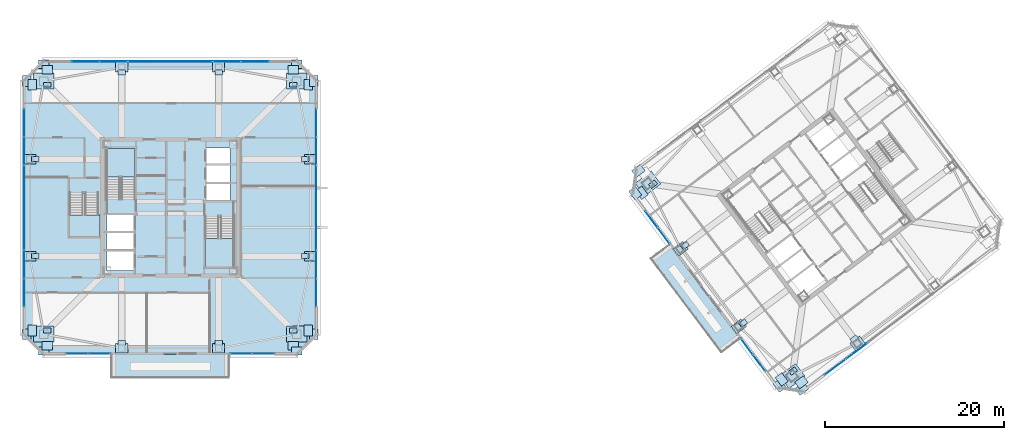
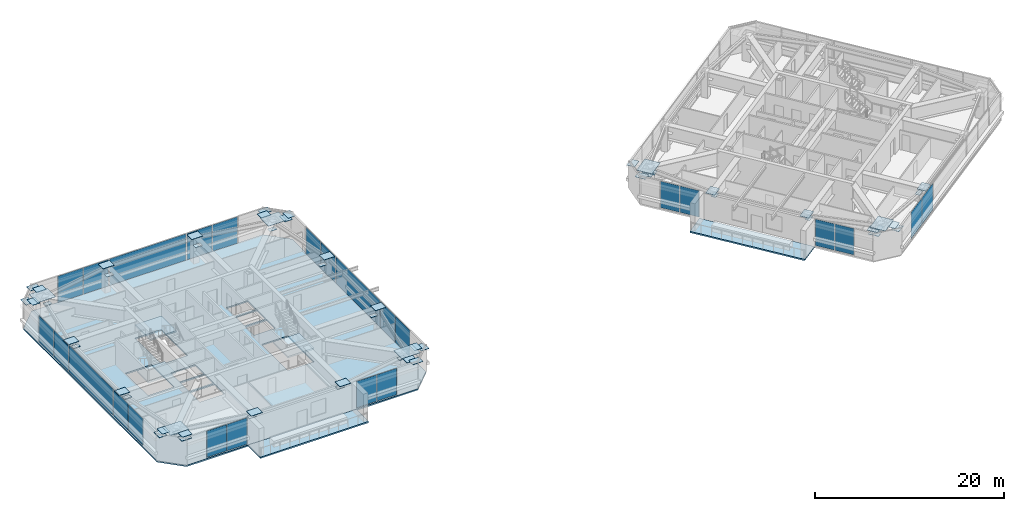
# One storey, part 28 of 40: 82 plates, 6 slabs, 17 elements without a shape of their own.
"""IFC4 building model written with IfcOpenShell, lengths in metres."""

from ifc_helpers import new_model, si_unit, direction, frame, origin, origin_2d, place, context, subcontext, project, spatial, polyline, rectangle, outline, extrude, material, layer, layer_set, type_object, element, aggregate, save


model = new_model("IFC4")

# Units and contexts
model_context = context("Model", 3, precision=1e-05, world=origin(), true_north=direction((0.0, 1.0)))
body_context = subcontext(model_context, "Body", "Model", "MODEL_VIEW")
ifc_project = project(units=[si_unit("LENGTHUNIT", "METRE"), si_unit("AREAUNIT", "SQUARE_METRE"), si_unit("VOLUMEUNIT", "CUBIC_METRE"), si_unit("PLANEANGLEUNIT", "RADIAN"), si_unit("MASSUNIT", "GRAM", prefix="KILO")], contexts=[model_context])

# Site, building, storey
site_placement = place(None, origin())
site = spatial("IfcSite", under=ifc_project, at=site_placement, CompositionType="ELEMENT")
building_placement = place(site_placement, origin())
building = spatial("IfcBuilding", under=site, at=building_placement, Name="Tashvorn Skyway Center", CompositionType="ELEMENT")
storey_placement = place(building_placement, frame((0.0, 0.0, 229.050048828125)))
storey = spatial("IfcBuildingStorey", under=building, at=storey_placement, Name="L62", CompositionType="ELEMENT", Elevation=229.050048828125)

# Curtain wall, plates
ifc_material_1 = material(Name="Thermally broken bronze-anodized aluminium 6063-T6", Category="aluminium")
curtain_wall_type = type_object("IfcCurtainWallType", Name="CW-CW-Z5", PredefinedType="NOTDEFINED", material=ifc_material_1)
curtain_wall_1_placement = place(storey_placement, origin())
curtain_wall_1 = element("IfcCurtainWall", 1, at=curtain_wall_1_placement, inside=storey, type_object=curtain_wall_type, Name="Tower 1 L62 South Curtain Wall L Glazing Group 1", PredefinedType="NOTDEFINED")
ifc_material_2 = material(Name="Low-E solar-control double insulating safety glass", Category="glass")
ifc_layer_1 = layer(ifc_material_2, 0.031982421875)
ifc_layer_set_1 = layer_set([ifc_layer_1], Name="Low-E solar-control double insulating safety glass")
plate_type_1 = type_object("IfcPlateType", Name="CWP-CW-Z5", PredefinedType="CURTAIN_PANEL", material=ifc_layer_set_1)
plate_1_placement = place(storey_placement, frame((52.37255859375, 15.719970703125, 0.06982421875), z_axis=(0.0, 0.0, 1.0), x_axis=(-1.0, 0.0, 0.0)))
plate_1 = element("IfcPlate", 2, at=plate_1_placement, type_object=plate_type_1, Name="CW-Z5 panel 1.1", PredefinedType="CURTAIN_PANEL", context=body_context, shape_type="SweptSolid", body=[
    extrude(rectangle(XDim=2.421630859375, YDim=0.031982421875, at=origin_2d()), origin(), (0.0, 0.0, 1.0), 3.409912109375),
])
plate_2_placement = place(storey_placement, frame((49.880859375, 15.719970703125, 0.06982421875), z_axis=(0.0, 0.0, 1.0), x_axis=(-1.0, 0.0, 0.0)))
plate_2 = element("IfcPlate", 3, at=plate_2_placement, type_object=plate_type_1, Name="CW-Z5 panel 2.1", PredefinedType="CURTAIN_PANEL", context=body_context, shape_type="SweptSolid", body=[
    extrude(rectangle(XDim=2.421630859375, YDim=0.031982421875, at=origin_2d()), origin(), (0.0, 0.0, 1.0), 3.409912109375),
])
aggregate(curtain_wall_1, [plate_1, plate_2])

curtain_wall_2_placement = place(storey_placement, origin())
curtain_wall_2 = element("IfcCurtainWall", 4, at=curtain_wall_2_placement, inside=storey, type_object=curtain_wall_type, Name="Tower 1 L62 South Curtain Wall R Glazing Group 1", PredefinedType="NOTDEFINED")
plate_3_placement = place(storey_placement, frame((34.119140625, 15.719970703125, 0.06982421875), z_axis=(0.0, 0.0, 1.0), x_axis=(-1.0, 0.0, 0.0)))
plate_3 = element("IfcPlate", 5, at=plate_3_placement, type_object=plate_type_1, Name="CW-Z5 panel 1.1", PredefinedType="CURTAIN_PANEL", context=body_context, shape_type="SweptSolid", body=[
    extrude(rectangle(XDim=2.421630859375, YDim=0.031982421875, at=origin_2d()), origin(), (0.0, 0.0, 1.0), 3.409912109375),
])
plate_4_placement = place(storey_placement, frame((31.62744140625, 15.719970703125, 0.06982421875), z_axis=(0.0, 0.0, 1.0), x_axis=(-1.0, 0.0, 0.0)))
plate_4 = element("IfcPlate", 6, at=plate_4_placement, type_object=plate_type_1, Name="CW-Z5 panel 2.1", PredefinedType="CURTAIN_PANEL", context=body_context, shape_type="SweptSolid", body=[
    extrude(rectangle(XDim=2.421630859375, YDim=0.031982421875, at=origin_2d()), origin(), (0.0, 0.0, 1.0), 3.409912109375),
])
aggregate(curtain_wall_2, [plate_3, plate_4])

curtain_wall_3_placement = place(storey_placement, origin())
curtain_wall_3 = element("IfcCurtainWall", 7, at=curtain_wall_3_placement, inside=storey, type_object=curtain_wall_type, Name="Tower 1 L62 West Unitised Curtain Wall Glazing Group 1", PredefinedType="NOTDEFINED")
plate_5_placement = place(storey_placement, frame((25.719970703125, 22.564208984375, 0.06982421875), z_axis=(0.0, 0.0, 1.0), x_axis=(0.0, 1.0, 0.0)))
plate_5 = element("IfcPlate", 8, at=plate_5_placement, type_object=plate_type_1, Name="CW-Z5 panel 1.1", PredefinedType="CURTAIN_PANEL", context=body_context, shape_type="SweptSolid", body=[
    extrude(rectangle(XDim=3.046142578125, YDim=0.031982421875, at=origin_2d()), origin(), (0.0, 0.0, 1.0), 3.409912109375),
])
plate_6_placement = place(storey_placement, frame((25.719970703125, 25.68017578125, 0.06982421875), z_axis=(0.0, 0.0, 1.0), x_axis=(0.0, 1.0, 0.0)))
plate_6 = element("IfcPlate", 9, at=plate_6_placement, type_object=plate_type_1, Name="CW-Z5 panel 2.1", PredefinedType="CURTAIN_PANEL", context=body_context, shape_type="SweptSolid", body=[
    extrude(rectangle(XDim=3.046142578125, YDim=0.031982421875, at=origin_2d()), origin(), (0.0, 0.0, 1.0), 3.409912109375),
])
aggregate(curtain_wall_3, [plate_5, plate_6])

# Curtain wall, plate
curtain_wall_4_placement = place(storey_placement, origin())
curtain_wall_4 = element("IfcCurtainWall", 10, at=curtain_wall_4_placement, inside=storey, type_object=curtain_wall_type, Name="Tower 1 L62 West Unitised Curtain Wall Glazing Group 2", PredefinedType="NOTDEFINED")
plate_7_placement = place(storey_placement, frame((25.719970703125, 32.0, 0.06982421875), z_axis=(0.0, 0.0, 1.0), x_axis=(0.0, 1.0, 0.0)))
plate_7 = element("IfcPlate", 11, at=plate_7_placement, type_object=plate_type_1, Name="CW-Z5 panel 1.1", PredefinedType="CURTAIN_PANEL", context=body_context, shape_type="SweptSolid", body=[
    extrude(rectangle(XDim=9.3134765625, YDim=0.031982421875, at=origin_2d()), origin(), (0.0, 0.0, 1.0), 3.409912109375),
])
aggregate(curtain_wall_4, [plate_7])

# Curtain wall, plates
curtain_wall_5_placement = place(storey_placement, origin())
curtain_wall_5 = element("IfcCurtainWall", 12, at=curtain_wall_5_placement, inside=storey, type_object=curtain_wall_type, Name="Tower 1 L62 West Unitised Curtain Wall Glazing Group 3", PredefinedType="NOTDEFINED")
plate_8_placement = place(storey_placement, frame((25.719970703125, 38.31982421875, 0.06982421875), z_axis=(0.0, 0.0, 1.0), x_axis=(0.0, 1.0, 0.0)))
plate_8 = element("IfcPlate", 13, at=plate_8_placement, type_object=plate_type_1, Name="CW-Z5 panel 1.1", PredefinedType="CURTAIN_PANEL", context=body_context, shape_type="SweptSolid", body=[
    extrude(rectangle(XDim=3.046142578125, YDim=0.031982421875, at=origin_2d()), origin(), (0.0, 0.0, 1.0), 3.409912109375),
])
plate_9_placement = place(storey_placement, frame((25.719970703125, 41.435791015625, 0.06982421875), z_axis=(0.0, 0.0, 1.0), x_axis=(0.0, 1.0, 0.0)))
plate_9 = element("IfcPlate", 14, at=plate_9_placement, type_object=plate_type_1, Name="CW-Z5 panel 2.1", PredefinedType="CURTAIN_PANEL", context=body_context, shape_type="SweptSolid", body=[
    extrude(rectangle(XDim=3.046142578125, YDim=0.031982421875, at=origin_2d()), origin(), (0.0, 0.0, 1.0), 3.409912109375),
])
aggregate(curtain_wall_5, [plate_8, plate_9])

curtain_wall_6_placement = place(storey_placement, origin())
curtain_wall_6 = element("IfcCurtainWall", 15, at=curtain_wall_6_placement, inside=storey, type_object=curtain_wall_type, Name="Tower 1 L62 North Unitised Curtain Wall Glazing Group 1", PredefinedType="NOTDEFINED")
plate_10_placement = place(storey_placement, frame((32.564208984375, 48.280029296875, 0.06982421875), z_axis=(0.0, 0.0, 1.0), x_axis=(1.0, 0.0, 0.0)))
plate_10 = element("IfcPlate", 16, at=plate_10_placement, type_object=plate_type_1, Name="CW-Z5 panel 1.1", PredefinedType="CURTAIN_PANEL", context=body_context, shape_type="SweptSolid", body=[
    extrude(rectangle(XDim=3.046142578125, YDim=0.031982421875, at=origin_2d()), origin(), (0.0, 0.0, 1.0), 3.409912109375),
])
plate_11_placement = place(storey_placement, frame((35.68017578125, 48.280029296875, 0.06982421875), z_axis=(0.0, 0.0, 1.0), x_axis=(1.0, 0.0, 0.0)))
plate_11 = element("IfcPlate", 17, at=plate_11_placement, type_object=plate_type_1, Name="CW-Z5 panel 2.1", PredefinedType="CURTAIN_PANEL", context=body_context, shape_type="SweptSolid", body=[
    extrude(rectangle(XDim=3.046142578125, YDim=0.031982421875, at=origin_2d()), origin(), (0.0, 0.0, 1.0), 3.409912109375),
])
aggregate(curtain_wall_6, [plate_10, plate_11])

# Curtain wall, plate
curtain_wall_7_placement = place(storey_placement, origin())
curtain_wall_7 = element("IfcCurtainWall", 18, at=curtain_wall_7_placement, inside=storey, type_object=curtain_wall_type, Name="Tower 1 L62 North Unitised Curtain Wall Glazing Group 2", PredefinedType="NOTDEFINED")
plate_12_placement = place(storey_placement, frame((42.0, 48.280029296875, 0.06982421875), z_axis=(0.0, 0.0, 1.0), x_axis=(1.0, 0.0, 0.0)))
plate_12 = element("IfcPlate", 19, at=plate_12_placement, type_object=plate_type_1, Name="CW-Z5 panel 1.1", PredefinedType="CURTAIN_PANEL", context=body_context, shape_type="SweptSolid", body=[
    extrude(rectangle(XDim=9.3134765625, YDim=0.031982421875, at=origin_2d()), origin(), (0.0, 0.0, 1.0), 3.409912109375),
])
aggregate(curtain_wall_7, [plate_12])

# Curtain wall, plates
curtain_wall_8_placement = place(storey_placement, origin())
curtain_wall_8 = element("IfcCurtainWall", 20, at=curtain_wall_8_placement, inside=storey, type_object=curtain_wall_type, Name="Tower 1 L62 North Unitised Curtain Wall Glazing Group 3", PredefinedType="NOTDEFINED")
plate_13_placement = place(storey_placement, frame((48.31982421875, 48.280029296875, 0.06982421875), z_axis=(0.0, 0.0, 1.0), x_axis=(1.0, 0.0, 0.0)))
plate_13 = element("IfcPlate", 21, at=plate_13_placement, type_object=plate_type_1, Name="CW-Z5 panel 1.1", PredefinedType="CURTAIN_PANEL", context=body_context, shape_type="SweptSolid", body=[
    extrude(rectangle(XDim=3.046142578125, YDim=0.031982421875, at=origin_2d()), origin(), (0.0, 0.0, 1.0), 3.409912109375),
])
plate_14_placement = place(storey_placement, frame((51.435791015625, 48.280029296875, 0.06982421875), z_axis=(0.0, 0.0, 1.0), x_axis=(1.0, 0.0, 0.0)))
plate_14 = element("IfcPlate", 22, at=plate_14_placement, type_object=plate_type_1, Name="CW-Z5 panel 2.1", PredefinedType="CURTAIN_PANEL", context=body_context, shape_type="SweptSolid", body=[
    extrude(rectangle(XDim=3.046142578125, YDim=0.031982421875, at=origin_2d()), origin(), (0.0, 0.0, 1.0), 3.409912109375),
])
aggregate(curtain_wall_8, [plate_13, plate_14])

curtain_wall_9_placement = place(storey_placement, origin())
curtain_wall_9 = element("IfcCurtainWall", 23, at=curtain_wall_9_placement, inside=storey, type_object=curtain_wall_type, Name="Tower 1 L62 East Unitised Curtain Wall Glazing Group 1", PredefinedType="NOTDEFINED")
plate_15_placement = place(storey_placement, frame((58.280029296875, 41.435791015625, 0.06982421875), z_axis=(0.0, 0.0, 1.0), x_axis=(0.0, -1.0, 0.0)))
plate_15 = element("IfcPlate", 24, at=plate_15_placement, type_object=plate_type_1, Name="CW-Z5 panel 1.1", PredefinedType="CURTAIN_PANEL", context=body_context, shape_type="SweptSolid", body=[
    extrude(rectangle(XDim=3.046142578125, YDim=0.031982421875, at=origin_2d()), origin(), (0.0, 0.0, 1.0), 3.409912109375),
])
plate_16_placement = place(storey_placement, frame((58.280029296875, 38.31982421875, 0.06982421875), z_axis=(0.0, 0.0, 1.0), x_axis=(0.0, -1.0, 0.0)))
plate_16 = element("IfcPlate", 25, at=plate_16_placement, type_object=plate_type_1, Name="CW-Z5 panel 2.1", PredefinedType="CURTAIN_PANEL", context=body_context, shape_type="SweptSolid", body=[
    extrude(rectangle(XDim=3.046142578125, YDim=0.031982421875, at=origin_2d()), origin(), (0.0, 0.0, 1.0), 3.409912109375),
])
aggregate(curtain_wall_9, [plate_15, plate_16])

# Curtain wall, plate
curtain_wall_10_placement = place(storey_placement, origin())
curtain_wall_10 = element("IfcCurtainWall", 26, at=curtain_wall_10_placement, inside=storey, type_object=curtain_wall_type, Name="Tower 1 L62 East Unitised Curtain Wall Glazing Group 2", PredefinedType="NOTDEFINED")
plate_17_placement = place(storey_placement, frame((58.280029296875, 32.0, 0.06982421875), z_axis=(0.0, 0.0, 1.0), x_axis=(0.0, -1.0, 0.0)))
plate_17 = element("IfcPlate", 27, at=plate_17_placement, type_object=plate_type_1, Name="CW-Z5 panel 1.1", PredefinedType="CURTAIN_PANEL", context=body_context, shape_type="SweptSolid", body=[
    extrude(rectangle(XDim=9.3134765625, YDim=0.031982421875, at=origin_2d()), origin(), (0.0, 0.0, 1.0), 3.409912109375),
])
aggregate(curtain_wall_10, [plate_17])

# Curtain wall, plates
curtain_wall_11_placement = place(storey_placement, origin())
curtain_wall_11 = element("IfcCurtainWall", 28, at=curtain_wall_11_placement, inside=storey, type_object=curtain_wall_type, Name="Tower 1 L62 East Unitised Curtain Wall Glazing Group 3", PredefinedType="NOTDEFINED")
plate_18_placement = place(storey_placement, frame((58.280029296875, 25.68017578125, 0.06982421875), z_axis=(0.0, 0.0, 1.0), x_axis=(0.0, -1.0, 0.0)))
plate_18 = element("IfcPlate", 29, at=plate_18_placement, type_object=plate_type_1, Name="CW-Z5 panel 1.1", PredefinedType="CURTAIN_PANEL", context=body_context, shape_type="SweptSolid", body=[
    extrude(rectangle(XDim=3.046142578125, YDim=0.031982421875, at=origin_2d()), origin(), (0.0, 0.0, 1.0), 3.409912109375),
])
plate_19_placement = place(storey_placement, frame((58.280029296875, 22.564208984375, 0.06982421875), z_axis=(0.0, 0.0, 1.0), x_axis=(0.0, -1.0, 0.0)))
plate_19 = element("IfcPlate", 30, at=plate_19_placement, type_object=plate_type_1, Name="CW-Z5 panel 2.1", PredefinedType="CURTAIN_PANEL", context=body_context, shape_type="SweptSolid", body=[
    extrude(rectangle(XDim=3.046142578125, YDim=0.031982421875, at=origin_2d()), origin(), (0.0, 0.0, 1.0), 3.409912109375),
])
aggregate(curtain_wall_11, [plate_18, plate_19])

curtain_wall_12_placement = place(storey_placement, origin())
curtain_wall_12 = element("IfcCurtainWall", 31, at=curtain_wall_12_placement, inside=storey, type_object=curtain_wall_type, Name="Tower 2 L62 South Unitised Curtain Wall Glazing Group 3", PredefinedType="NOTDEFINED")
plate_20_placement = place(storey_placement, frame((118.48095703125, 16.0107421875, 0.06982421875), z_axis=(0.0, 0.0, 1.0), x_axis=(-0.79999799704, -0.600002670604, 0.0)))
plate_20 = element("IfcPlate", 32, at=plate_20_placement, type_object=plate_type_1, Name="CW-Z5 panel 1.1", PredefinedType="CURTAIN_PANEL", context=body_context, shape_type="SweptSolid", body=[
    extrude(rectangle(XDim=2.890625, YDim=0.031982421875, at=origin_2d()), origin(), (0.0, 0.0, 1.0), 3.409912109375),
])
plate_21_placement = place(storey_placement, frame((116.112548828125, 14.234375, 0.06982421875), z_axis=(0.0, 0.0, 1.0), x_axis=(-0.79999799704, -0.600002670604, 0.0)))
plate_21 = element("IfcPlate", 33, at=plate_21_placement, type_object=plate_type_1, Name="CW-Z5 panel 2.1", PredefinedType="CURTAIN_PANEL", context=body_context, shape_type="SweptSolid", body=[
    extrude(rectangle(XDim=2.890625, YDim=0.031982421875, at=origin_2d()), origin(), (0.0, 0.0, 1.0), 3.409912109375),
])
aggregate(curtain_wall_12, [plate_20, plate_21])

curtain_wall_13_placement = place(storey_placement, origin())
curtain_wall_13 = element("IfcCurtainWall", 34, at=curtain_wall_13_placement, inside=storey, type_object=curtain_wall_type, Name="Tower 2 L62 West Curtain Wall L Glazing Group 1", PredefinedType="NOTDEFINED")
plate_22_placement = place(storey_placement, frame((107.62939453125, 14.694091796875, 0.06982421875), z_axis=(0.0, 0.0, 1.0), x_axis=(-0.600003488393, 0.799997383693, 0.0)))
plate_22 = element("IfcPlate", 35, at=plate_22_placement, type_object=plate_type_1, Name="CW-Z5 panel 1.1", PredefinedType="CURTAIN_PANEL", context=body_context, shape_type="SweptSolid", body=[
    extrude(rectangle(XDim=2.188232421875, YDim=0.031982421875, at=origin_2d()), origin(), (0.0, 0.0, 1.0), 3.409912109375),
])
plate_23_placement = place(storey_placement, frame((106.2744140625, 16.500732421875, 0.06982421875), z_axis=(0.0, 0.0, 1.0), x_axis=(-0.600003488393, 0.799997383693, 0.0)))
plate_23 = element("IfcPlate", 36, at=plate_23_placement, type_object=plate_type_1, Name="CW-Z5 panel 2.1", PredefinedType="CURTAIN_PANEL", context=body_context, shape_type="SweptSolid", body=[
    extrude(rectangle(XDim=2.188232421875, YDim=0.031982421875, at=origin_2d()), origin(), (0.0, 0.0, 1.0), 3.409912109375),
])
aggregate(curtain_wall_13, [plate_22, plate_23])

curtain_wall_14_placement = place(storey_placement, origin())
curtain_wall_14 = element("IfcCurtainWall", 37, at=curtain_wall_14_placement, inside=storey, type_object=curtain_wall_type, Name="Tower 2 L62 West Curtain Wall R Glazing Group 1", PredefinedType="NOTDEFINED")
plate_24_placement = place(storey_placement, frame((96.95751953125, 28.92333984375, 0.06982421875), z_axis=(0.0, 0.0, 1.0), x_axis=(-0.600003488393, 0.799997383693, 0.0)))
plate_24 = element("IfcPlate", 38, at=plate_24_placement, type_object=plate_type_1, Name="CW-Z5 panel 1.1", PredefinedType="CURTAIN_PANEL", context=body_context, shape_type="SweptSolid", body=[
    extrude(rectangle(XDim=2.188232421875, YDim=0.031982421875, at=origin_2d()), origin(), (0.0, 0.0, 1.0), 3.409912109375),
])
plate_25_placement = place(storey_placement, frame((95.6025390625, 30.72998046875, 0.06982421875), z_axis=(0.0, 0.0, 1.0), x_axis=(-0.600003488393, 0.799997383693, 0.0)))
plate_25 = element("IfcPlate", 39, at=plate_25_placement, type_object=plate_type_1, Name="CW-Z5 panel 2.1", PredefinedType="CURTAIN_PANEL", context=body_context, shape_type="SweptSolid", body=[
    extrude(rectangle(XDim=2.188232421875, YDim=0.031982421875, at=origin_2d()), origin(), (0.0, 0.0, 1.0), 3.409912109375),
])
aggregate(curtain_wall_14, [plate_24, plate_25])

# Plates
ifc_material_3 = material(Name="Steel ASTM A572 Grade 50", Category="steel")
ifc_layer_2 = layer(ifc_material_3, 0.034912109375)
ifc_layer_set_2 = layer_set([ifc_layer_2], Name="Steel ASTM A572 Grade 50")
plate_type_2 = type_object("IfcPlateType", Name="PLT-CAP-35", PredefinedType="USERDEFINED", material=ifc_layer_set_2)
for number, where, z_axis, x_axis, name in (
    (40, (27.89990234375, 16.02001953125, 3.3173828125), (0.0, 0.0, 1.0), (1.0, 0.0, 0.0), "Tower 1 Zone 5 S Brace Top End Plate L"),
    (41, (56.10009765625, 16.02001953125, 3.3173828125), (0.0, 0.0, 1.0), (1.0, 0.0, 0.0), "Tower 1 Zone 5 S Brace Top End Plate R"),
    (42, (57.97998046875, 17.89990234375, 3.3173828125), (0.0, 0.0, 1.0), (0.0, 1.0, 0.0), "Tower 1 Zone 5 E Brace Top End Plate L"),
    (43, (57.97998046875, 46.10009765625, 3.3173828125), (0.0, 0.0, 1.0), (0.0, 1.0, 0.0), "Tower 1 Zone 5 E Brace Top End Plate R"),
    (44, (56.10009765625, 47.97998046875, 3.3173828125), (0.0, 0.0, 1.0), (-1.0, 0.0, 0.0), "Tower 1 Zone 5 N Brace Top End Plate L"),
    (45, (27.89990234375, 47.97998046875, 3.3173828125), (0.0, 0.0, 1.0), (-1.0, 0.0, 0.0), "Tower 1 Zone 5 N Brace Top End Plate R"),
    (46, (26.02001953125, 46.10009765625, 3.3173828125), (0.0, 0.0, 1.0), (0.0, -1.0, 0.0), "Tower 1 Zone 5 W Brace Top End Plate L"),
    (47, (26.02001953125, 17.89990234375, 3.3173828125), (0.0, 0.0, 1.0), (0.0, -1.0, 0.0), "Tower 1 Zone 5 W Brace Top End Plate R"),
    (48, (112.387939453125, 11.81591796875, 3.3173828125), (0.0, 0.0, 1.0), (0.799999996291, 0.600000004945, 0.0), "Tower 2 Zone 5 S Brace Top End Plate L"),
    (49, (94.172119140625, 36.10400390625, 3.3173828125), (0.0, 0.0, 1.0), (-0.799999996291, -0.600000004945, 0.0), "Tower 2 Zone 5 N Brace Top End Plate R"),
    (50, (93.81591796875, 33.612060546875, 3.3173828125), (0.0, 0.0, 1.0), (0.600000004945, -0.799999996291, 0.0), "Tower 2 Zone 5 W Brace Top End Plate L"),
    (51, (109.89599609375, 12.172119140625, 3.3173828125), (0.0, 0.0, 1.0), (0.600000004945, -0.799999996291, 0.0), "Tower 2 Zone 5 W Brace Top End Plate R"),
    (52, (28.300048828125, 16.6201171875, 3.3173828125), (0.0, 0.0, 1.0), (1.0, 0.0, 0.0), "Tower 1 Zone 6 S Brace Base End Plate L"),
    (53, (55.699951171875, 16.6201171875, 3.3173828125), (0.0, 0.0, 1.0), (1.0, 0.0, 0.0), "Tower 1 Zone 6 S Brace Base End Plate R"),
    (54, (57.3798828125, 18.300048828125, 3.3173828125), (0.0, 0.0, 1.0), (0.0, 1.0, 0.0), "Tower 1 Zone 6 E Brace Base End Plate L"),
    (55, (57.3798828125, 45.699951171875, 3.3173828125), (0.0, 0.0, 1.0), (0.0, 1.0, 0.0), "Tower 1 Zone 6 E Brace Base End Plate R"),
    (56, (55.699951171875, 47.3798828125, 3.3173828125), (0.0, 0.0, 1.0), (-1.0, 0.0, 0.0), "Tower 1 Zone 6 N Brace Base End Plate L"),
    (57, (28.300048828125, 47.3798828125, 3.3173828125), (0.0, 0.0, 1.0), (-1.0, 0.0, 0.0), "Tower 1 Zone 6 N Brace Base End Plate R"),
    (58, (26.6201171875, 45.699951171875, 3.3173828125), (0.0, 0.0, 1.0), (0.0, -1.0, 0.0), "Tower 1 Zone 6 W Brace Base End Plate L"),
    (59, (26.6201171875, 18.300048828125, 3.3173828125), (0.0, 0.0, 1.0), (0.0, -1.0, 0.0), "Tower 1 Zone 6 W Brace Base End Plate R"),
    (60, (112.347900390625, 12.535888671875, 3.3173828125), (0.0, 0.0, 1.0), (0.799999996291, 0.600000004945, 0.0), "Tower 2 Zone 6 S Brace Base End Plate L"),
    (61, (94.535888671875, 33.652099609375, 3.3173828125), (0.0, 0.0, 1.0), (0.600000004945, -0.799999996291, 0.0), "Tower 2 Zone 6 W Brace Base End Plate L"),
    (62, (110.135986328125, 12.85205078125, 3.3173828125), (0.0, 0.0, 1.0), (0.600000004945, -0.799999996291, 0.0), "Tower 2 Zone 6 W Brace Base End Plate R"),
):
    element("IfcPlate", number, at=place(storey_placement, frame(where, z_axis=z_axis, x_axis=x_axis)), inside=storey, type_object=plate_type_2, Name=name, ObjectType="END PLATE", PredefinedType="USERDEFINED", context=body_context, shape_type="SweptSolid", body=[
        extrude(rectangle(XDim=1.199951171875, YDim=0.919921875, at=origin_2d()), origin(), (0.0, 0.0, 1.0), 0.034912109375),
    ])
ifc_layer_3 = layer(ifc_material_3, 0.050048828125)
ifc_layer_set_3 = layer_set([ifc_layer_3], Name="Steel ASTM A572 Grade 50")
plate_type_3 = type_object("IfcPlateType", Name="PLT-ENDCAP-1650", PredefinedType="USERDEFINED", material=ifc_layer_set_3)
for number, where, z_axis, x_axis, name in (
    (63, (27.89990234375, 17.89990234375, 3.35986328125), (0.0, 0.0, 1.0), (1.0, 0.0, 0.0), "Tower 1 L62 MC-SW Setback Cap End Plate"),
    (64, (56.10009765625, 17.89990234375, 3.35986328125), (0.0, 0.0, 1.0), (1.0, 0.0, 0.0), "Tower 1 L62 MC-SE Setback Cap End Plate"),
    (65, (56.10009765625, 46.10009765625, 3.35986328125), (0.0, 0.0, 1.0), (1.0, 0.0, 0.0), "Tower 1 L62 MC-NE Setback Cap End Plate"),
    (66, (27.89990234375, 46.10009765625, 3.35986328125), (0.0, 0.0, 1.0), (1.0, 0.0, 0.0), "Tower 1 L62 MC-NW Setback Cap End Plate"),
    (67, (111.320068359375, 13.239990234375, 3.35986328125), (0.0, 0.0, 1.0), (0.799999996291, 0.600000004945, 0.0), "Tower 2 L62 MC-SW Setback Cap End Plate"),
    (68, (95.239990234375, 34.679931640625, 3.35986328125), (0.0, 0.0, 1.0), (0.799999996291, 0.600000004945, 0.0), "Tower 2 L62 MC-NW Setback Cap End Plate"),
):
    element("IfcPlate", number, at=place(storey_placement, frame(where, z_axis=z_axis, x_axis=x_axis)), inside=storey, type_object=plate_type_3, Name=name, ObjectType="END PLATE", PredefinedType="USERDEFINED", context=body_context, shape_type="SweptSolid", body=[
        extrude(rectangle(XDim=2.25, YDim=1.780029296875, at=origin_2d()), origin(), (0.0, 0.0, 1.0), 0.050048828125),
    ])
ifc_layer_4 = layer(ifc_material_3, 0.050048828125)
ifc_layer_set_4 = layer_set([ifc_layer_4], Name="Steel ASTM A572 Grade 50")
plate_type_4 = type_object("IfcPlateType", Name="PLT-ENDCAP-900", PredefinedType="USERDEFINED", material=ifc_layer_set_4)
for number, where, z_axis, x_axis, name in (
    (69, (36.60009765625, 16.35009765625, 3.35986328125), (0.0, 0.0, 1.0), (1.0, 0.0, 0.0), "Tower 1 L62 FC-S1 Setback Cap End Plate"),
    (70, (47.39990234375, 16.35009765625, 3.35986328125), (0.0, 0.0, 1.0), (1.0, 0.0, 0.0), "Tower 1 L62 FC-S2 Setback Cap End Plate"),
    (71, (57.64990234375, 26.60009765625, 3.35986328125), (0.0, 0.0, 1.0), (1.0, 0.0, 0.0), "Tower 1 L62 FC-E1 Setback Cap End Plate"),
    (72, (57.64990234375, 37.39990234375, 3.35986328125), (0.0, 0.0, 1.0), (1.0, 0.0, 0.0), "Tower 1 L62 FC-E2 Setback Cap End Plate"),
    (73, (47.39990234375, 47.64990234375, 3.35986328125), (0.0, 0.0, 1.0), (1.0, 0.0, 0.0), "Tower 1 L62 FC-N1 Setback Cap End Plate"),
    (74, (36.60009765625, 47.64990234375, 3.35986328125), (0.0, 0.0, 1.0), (1.0, 0.0, 0.0), "Tower 1 L62 FC-N2 Setback Cap End Plate"),
    (75, (26.35009765625, 37.39990234375, 3.35986328125), (0.0, 0.0, 1.0), (1.0, 0.0, 0.0), "Tower 1 L62 FC-W1 Setback Cap End Plate"),
    (76, (26.35009765625, 26.60009765625, 3.35986328125), (0.0, 0.0, 1.0), (1.0, 0.0, 0.0), "Tower 1 L62 FC-W2 Setback Cap End Plate"),
    (77, (118.590087890625, 16.8798828125, 3.35986328125), (0.0, 0.0, 1.0), (0.799999996291, 0.600000004945, 0.0), "Tower 2 L62 FC-S1 Setback Cap End Plate"),
    (78, (98.8798828125, 27.409912109375, 3.35986328125), (0.0, 0.0, 1.0), (0.799999996291, 0.600000004945, 0.0), "Tower 2 L62 FC-W1 Setback Cap End Plate"),
    (79, (105.360107421875, 18.77001953125, 3.35986328125), (0.0, 0.0, 1.0), (0.799999996291, 0.600000004945, 0.0), "Tower 2 L62 FC-W2 Setback Cap End Plate"),
):
    element("IfcPlate", number, at=place(storey_placement, frame(where, z_axis=z_axis, x_axis=x_axis)), inside=storey, type_object=plate_type_4, Name=name, ObjectType="END PLATE", PredefinedType="USERDEFINED", context=body_context, shape_type="SweptSolid", body=[
        extrude(rectangle(XDim=1.35009765625, YDim=1.050048828125, at=origin_2d()), origin(), (0.0, 0.0, 1.0), 0.050048828125),
    ])
ifc_layer_5 = layer(ifc_material_3, 0.030029296875)
ifc_layer_set_5 = layer_set([ifc_layer_5], Name="Steel ASTM A572 Grade 50")
plate_type_5 = type_object("IfcPlateType", Name="PLT-STIFF-30", PredefinedType="SHEET", material=ifc_layer_set_5)
for number, where, z_axis, x_axis, name in (
    (80, (28.300048828125, 18.300048828125, 2.455078125), (0.0, 0.0, 1.0), (1.0, 0.0, 0.0), "Tower 1 L62 Transfer Bearing Stiffener MC-SW"),
    (81, (55.699951171875, 18.300048828125, 2.455078125), (0.0, 0.0, 1.0), (1.0, 0.0, 0.0), "Tower 1 L62 Transfer Bearing Stiffener MC-SE"),
    (82, (55.699951171875, 45.699951171875, 2.455078125), (0.0, 0.0, 1.0), (1.0, 0.0, 0.0), "Tower 1 L62 Transfer Bearing Stiffener MC-NE"),
    (83, (28.300048828125, 45.699951171875, 2.455078125), (0.0, 0.0, 1.0), (1.0, 0.0, 0.0), "Tower 1 L62 Transfer Bearing Stiffener MC-NW"),
    (84, (36.60009765625, 16.949951171875, 2.455078125), (0.0, 0.0, 1.0), (1.0, 0.0, 0.0), "Tower 1 L62 Transfer Bearing Stiffener FC-S1"),
    (85, (47.39990234375, 16.949951171875, 2.455078125), (0.0, 0.0, 1.0), (1.0, 0.0, 0.0), "Tower 1 L62 Transfer Bearing Stiffener FC-S2"),
    (86, (57.050048828125, 26.60009765625, 2.455078125), (0.0, 0.0, 1.0), (1.0, 0.0, 0.0), "Tower 1 L62 Transfer Bearing Stiffener FC-E1"),
    (87, (57.050048828125, 37.39990234375, 2.455078125), (0.0, 0.0, 1.0), (1.0, 0.0, 0.0), "Tower 1 L62 Transfer Bearing Stiffener FC-E2"),
    (88, (47.39990234375, 47.050048828125, 2.455078125), (0.0, 0.0, 1.0), (1.0, 0.0, 0.0), "Tower 1 L62 Transfer Bearing Stiffener FC-N1"),
    (89, (36.60009765625, 47.050048828125, 2.455078125), (0.0, 0.0, 1.0), (1.0, 0.0, 0.0), "Tower 1 L62 Transfer Bearing Stiffener FC-N2"),
    (90, (26.949951171875, 37.39990234375, 2.455078125), (0.0, 0.0, 1.0), (1.0, 0.0, 0.0), "Tower 1 L62 Transfer Bearing Stiffener FC-W1"),
    (91, (26.949951171875, 26.60009765625, 2.455078125), (0.0, 0.0, 1.0), (1.0, 0.0, 0.0), "Tower 1 L62 Transfer Bearing Stiffener FC-W2"),
    (92, (111.39990234375, 13.800048828125, 2.455078125), (0.0, 0.0, 1.0), (0.799999996291, 0.600000004945, 0.0), "Tower 2 L62 Transfer Bearing Stiffener MC-SW"),
    (93, (95.800048828125, 34.60009765625, 2.455078125), (0.0, 0.0, 1.0), (0.799999996291, 0.600000004945, 0.0), "Tower 2 L62 Transfer Bearing Stiffener MC-NW"),
    (94, (118.22998046875, 17.360107421875, 2.455078125), (0.0, 0.0, 1.0), (0.799999996291, 0.600000004945, 0.0), "Tower 2 L62 Transfer Bearing Stiffener FC-S1"),
    (95, (99.360107421875, 27.77001953125, 2.455078125), (0.0, 0.0, 1.0), (0.799999996291, 0.600000004945, 0.0), "Tower 2 L62 Transfer Bearing Stiffener FC-W1"),
    (96, (105.840087890625, 19.1298828125, 2.455078125), (0.0, 0.0, 1.0), (0.799999996291, 0.600000004945, 0.0), "Tower 2 L62 Transfer Bearing Stiffener FC-W2"),
):
    element("IfcPlate", number, at=place(storey_placement, frame(where, z_axis=z_axis, x_axis=x_axis)), inside=storey, type_object=plate_type_5, Name=name, PredefinedType="SHEET", context=body_context, shape_type="SweptSolid", body=[
        extrude(rectangle(XDim=0.85009765625, YDim=0.550048828125, at=origin_2d()), origin(), (0.0, 0.0, 1.0), 0.030029296875),
    ])

# Slab
ifc_material_4 = material(Name="Concrete C40/50", Category="concrete")
ifc_layer_6 = layer(ifc_material_4, 0.179931640625)
ifc_layer_set_6 = layer_set([ifc_layer_6], Name="Concrete C40/50")
slab_type_1 = type_object("IfcSlabType", Name="SLAB-FLR-180", PredefinedType="FLOOR", material=ifc_layer_set_6)
slab_1_placement = place(storey_placement, frame((0.0, 0.0, -0.179931640625)))
element("IfcSlab", 97, at=slab_1_placement, inside=storey, type_object=slab_type_1, Name="Tower 1 L62 Composite Floor Slab", PredefinedType="FLOOR", context=body_context, shape_type="SweptSolid", body=[
    extrude(outline(polyline([(27.89990234375, 15.60009765625), (56.10009765625, 15.60009765625), (58.39990234375, 17.89990234375), (58.39990234375, 46.10009765625), (56.10009765625, 48.39990234375), (27.89990234375, 48.39990234375), (25.60009765625, 46.10009765625), (25.60009765625, 17.89990234375), (27.89990234375, 15.60009765625)]), holes=[polyline([(38.10009765625, 33.080078125), (38.10009765625, 38.60009765625), (34.89990234375, 38.60009765625), (34.89990234375, 33.080078125), (38.10009765625, 33.080078125)]), polyline([(45.89990234375, 30.919921875), (45.89990234375, 25.39990234375), (49.10009765625, 25.39990234375), (49.10009765625, 30.919921875), (45.89990234375, 30.919921875)]), polyline([(30.800048828125, 33.52001953125), (30.800048828125, 28.800048828125), (34.0, 28.800048828125), (34.0, 33.52001953125), (30.800048828125, 33.52001953125)]), polyline([(34.949951171875, 29.35009765625), (37.949951171875, 29.35009765625), (37.949951171875, 31.199951171875), (34.949951171875, 31.199951171875), (34.949951171875, 29.35009765625)]), polyline([(34.949951171875, 27.35009765625), (37.949951171875, 27.35009765625), (37.949951171875, 29.199951171875), (34.949951171875, 29.199951171875), (34.949951171875, 27.35009765625)]), polyline([(34.949951171875, 25.0), (37.949951171875, 25.0), (37.949951171875, 27.14990234375), (34.949951171875, 27.14990234375), (34.949951171875, 25.0)]), polyline([(46.050048828125, 32.800048828125), (48.64990234375, 32.800048828125), (48.64990234375, 34.64990234375), (46.050048828125, 34.64990234375), (46.050048828125, 32.800048828125)]), polyline([(46.050048828125, 34.85009765625), (48.64990234375, 34.85009765625), (48.64990234375, 36.699951171875), (46.050048828125, 36.699951171875), (46.050048828125, 34.85009765625)]), polyline([(46.050048828125, 36.89990234375), (48.64990234375, 36.89990234375), (48.64990234375, 38.64990234375), (46.050048828125, 38.64990234375), (46.050048828125, 36.89990234375)])]), origin(), (0.0, 0.0, 1.0), 0.179931640625),
])

# Stair, slab
stair_type = type_object("IfcStairType", Name="STAIR-CORE-1500", PredefinedType="HALF_TURN_STAIR", material=ifc_material_4)
stair_1_placement = place(storey_placement, origin())
stair_1 = element("IfcStair", 98, at=stair_1_placement, inside=storey, type_object=stair_type, Name="L62 Tower 1 Exit Stair 1", PredefinedType="HALF_TURN_STAIR")
ifc_layer_7 = layer(ifc_material_4, 0.199951171875)
ifc_layer_set_7 = layer_set([ifc_layer_7], Name="Concrete C40/50")
slab_type_2 = type_object("IfcSlabType", Name="SLAB-LAND-200", PredefinedType="LANDING", material=ifc_layer_set_7)
slab_2_placement = place(storey_placement, frame((0.0, 0.0, 1.574951171875)))
slab_2 = element("IfcSlab", 99, at=slab_2_placement, type_object=slab_type_2, Name="ST-T1-1 landing 1", PredefinedType="LANDING", context=body_context, shape_type="SweptSolid", body=[
    extrude(outline(polyline([(38.10009765625, 35.43994140625), (38.10009765625, 38.60009765625), (34.89990234375, 38.60009765625), (34.89990234375, 35.43994140625), (38.10009765625, 35.43994140625)])), origin(), (0.0, 0.0, 1.0), 0.199951171875),
])
aggregate(stair_1, [slab_2])

stair_2_placement = place(storey_placement, origin())
stair_2 = element("IfcStair", 100, at=stair_2_placement, inside=storey, type_object=stair_type, Name="L62 Tower 1 Exit Stair 2", PredefinedType="HALF_TURN_STAIR")
slab_3_placement = place(storey_placement, frame((0.0, 0.0, 1.574951171875)))
slab_3 = element("IfcSlab", 101, at=slab_3_placement, type_object=slab_type_2, Name="ST-T1-2 landing 1", PredefinedType="LANDING", context=body_context, shape_type="SweptSolid", body=[
    extrude(outline(polyline([(45.89990234375, 28.56005859375), (45.89990234375, 25.39990234375), (49.10009765625, 25.39990234375), (49.10009765625, 28.56005859375), (45.89990234375, 28.56005859375)])), origin(), (0.0, 0.0, 1.0), 0.199951171875),
])
aggregate(stair_2, [slab_3])

stair_3_placement = place(storey_placement, origin())
stair_3 = element("IfcStair", 102, at=stair_3_placement, inside=storey, type_object=stair_type, Name="L62 Tower 1 Exit Stair 3", PredefinedType="HALF_TURN_STAIR")
slab_4_placement = place(storey_placement, frame((0.0, 0.0, 1.574951171875)))
slab_4 = element("IfcSlab", 103, at=slab_4_placement, type_object=slab_type_2, Name="ST-T1-3 landing 1", PredefinedType="LANDING", context=body_context, shape_type="SweptSolid", body=[
    extrude(outline(polyline([(30.800048828125, 31.159912109375), (30.800048828125, 28.800048828125), (34.199951171875, 28.800048828125), (34.199951171875, 31.159912109375), (30.800048828125, 31.159912109375)])), origin(), (0.0, 0.0, 1.0), 0.199951171875),
])
aggregate(stair_3, [slab_4])

# Slabs
ifc_layer_8 = layer(ifc_material_4, 0.179931640625)
ifc_layer_set_8 = layer_set([ifc_layer_8], Name="Concrete C40/50")
slab_type_3 = type_object("IfcSlabType", Name="SLAB-TERR-200", PredefinedType="FLOOR", material=ifc_layer_set_8)
slab_5_placement = place(storey_placement, frame((0.0, 0.0, -0.179931640625)))
element("IfcSlab", 104, at=slab_5_placement, inside=storey, type_object=slab_type_3, Name="Tower 1 L62 Sky Garden Slab", PredefinedType="FLOOR", context=body_context, shape_type="SweptSolid", body=[
    extrude(outline(polyline([(35.39990234375, 13.0), (48.60009765625, 13.0), (48.60009765625, 15.610107421875), (35.39990234375, 15.610107421875), (35.39990234375, 13.0)])), origin(), (0.0, 0.0, 1.0), 0.179931640625),
])
slab_6_placement = place(storey_placement, frame((0.0, 0.0, -0.179931640625)))
element("IfcSlab", 105, at=slab_6_placement, inside=storey, type_object=slab_type_3, Name="Tower 2 L62 Sky Garden Slab", PredefinedType="FLOOR", context=body_context, shape_type="SweptSolid", body=[
    extrude(outline(polyline([(103.39990234375, 15.800048828125), (105.488037109375, 17.365966796875), (97.568115234375, 27.926025390625), (95.47998046875, 26.360107421875), (103.39990234375, 15.800048828125)])), origin(), (0.0, 0.0, 1.0), 0.179931640625),
])

save(model, "model.ifc")
